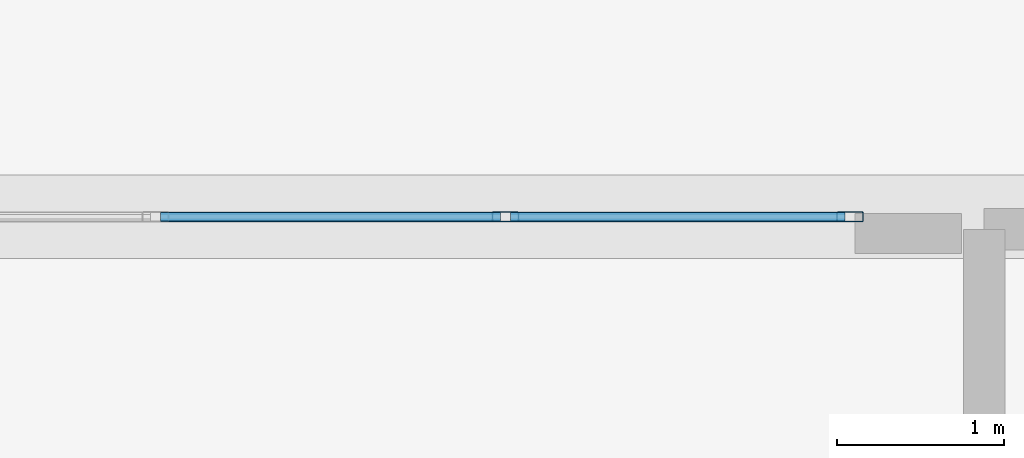
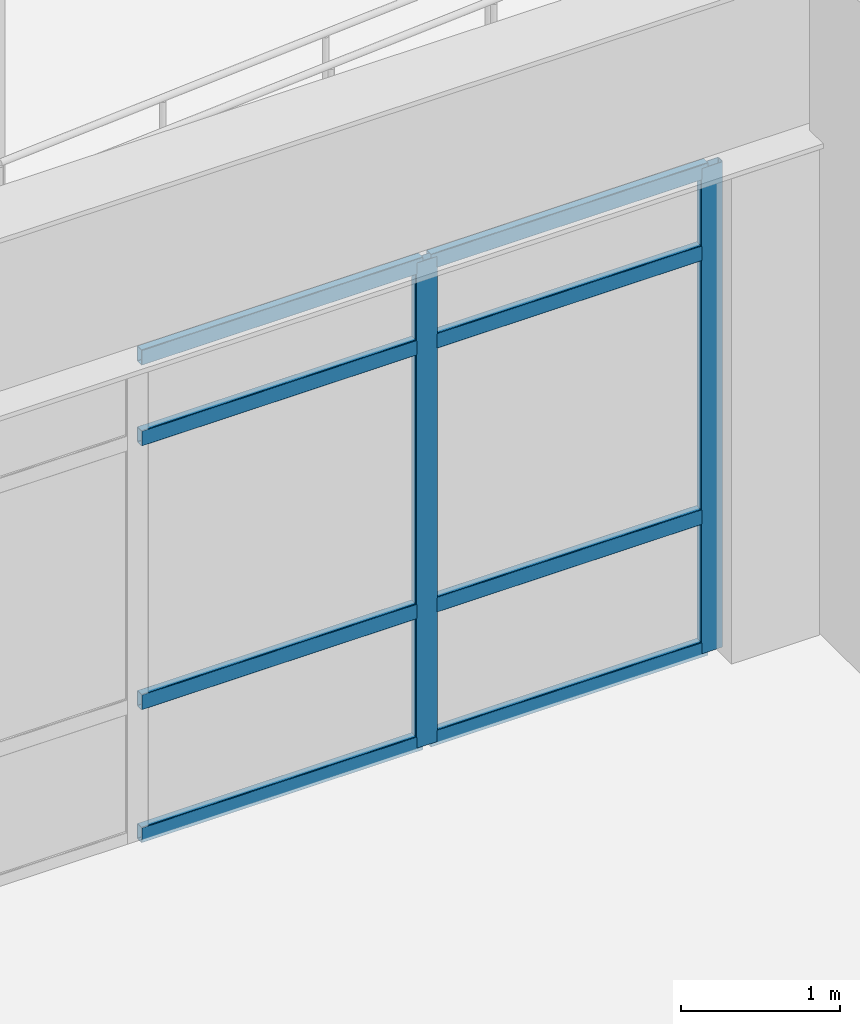
# One storey, part 50 of 165: 10 members, 1 element without a shape of its own.
"""IFC4 building model written with IfcOpenShell, lengths in metres."""

from ifc_helpers import new_model, si_unit, direction, frame, origin, origin_2d, place, context, subcontext, project, spatial, hollow_rectangle, extrude, material, layer, layer_set, material_profile, profile_set, type_object, element, aggregate, save


model = new_model("IFC4")

# Units and contexts
model_context = context("Model", 3, precision=1e-05, world=origin(), true_north=direction((0.0, 1.0)))
body_context = subcontext(model_context, "Body", "Model", "MODEL_VIEW")
ifc_project = project(units=[si_unit("LENGTHUNIT", "METRE"), si_unit("AREAUNIT", "SQUARE_METRE"), si_unit("VOLUMEUNIT", "CUBIC_METRE"), si_unit("PLANEANGLEUNIT", "RADIAN"), si_unit("MASSUNIT", "GRAM", prefix="KILO")], contexts=[model_context])

# Site, building, storey
site_placement = place(None, origin())
site = spatial("IfcSite", under=ifc_project, at=site_placement, CompositionType="ELEMENT")
building_placement = place(site_placement, origin())
building = spatial("IfcBuilding", under=site, at=building_placement, Name="Kazehara Bluff Congress Hotel", CompositionType="ELEMENT")
storey_placement = place(building_placement, origin())
storey = spatial("IfcBuildingStorey", under=building, at=storey_placement, Name="L00", CompositionType="ELEMENT", Elevation=0.0)

# Curtain wall, members
ifc_material_1 = material(Name="Anodised aluminium", Category="aluminium")
ifc_layer = layer(ifc_material_1, 0.159912109375)
ifc_layer_set = layer_set([ifc_layer], Name="Anodised aluminium")
curtain_wall_type = type_object("IfcCurtainWallType", Name="TP-CW-67", PredefinedType="NOTDEFINED", material=ifc_layer_set)
curtain_wall_placement = place(storey_placement, origin())
curtain_wall = element("IfcCurtainWall", 1, at=curtain_wall_placement, inside=storey, type_object=curtain_wall_type, Name="L00 curtain wall CW-67 CW-V4-L00-Y5645-6860", PredefinedType="NOTDEFINED")
ifc_material_2 = material(Name="Anodised aluminium", Category="aluminium")
ifc_material_profile_1 = material_profile(ifc_material_2, hollow_rectangle(XDim=0.06005859375, YDim=0.159912109375, WallThickness=0.00390625, InnerFilletRadius=0.00390625, OuterFilletRadius=0.008056640625, at=origin_2d()))
ifc_profile_set_1 = profile_set([ifc_material_profile_1], Name="Anodised aluminium")
member_type_1 = type_object("IfcMemberType", Name="TP-CWM-01", PredefinedType="MULLION", material=ifc_profile_set_1)
member_1_placement = place(storey_placement, frame((72.800048828125, 56.449951171875, 0.0), z_axis=(0.0, 0.0, 1.0), x_axis=(0.0, 1.0, 0.0)))
member_1 = element("IfcMember", 2, at=member_1_placement, type_object=member_type_1, Name="CW-67 mullion 3", PredefinedType="MULLION", context=body_context, shape_type="SweptSolid", body=[
    extrude(hollow_rectangle(XDim=0.06005859375, YDim=0.159912109375, WallThickness=0.00390625, InnerFilletRadius=0.00390625, OuterFilletRadius=0.008056640625, at=origin_2d()), origin(), (0.0, 0.0, 1.0), 3.72509765625),
])
member_2_placement = place(storey_placement, frame((74.8701171875, 56.449951171875, 0.0), z_axis=(0.0, 0.0, 1.0), x_axis=(0.0, 1.0, 0.0)))
member_2 = element("IfcMember", 3, at=member_2_placement, type_object=member_type_1, Name="CW-67 mullion 4", PredefinedType="MULLION", context=body_context, shape_type="SweptSolid", body=[
    extrude(hollow_rectangle(XDim=0.06005859375, YDim=0.159912109375, WallThickness=0.00390625, InnerFilletRadius=0.00390625, OuterFilletRadius=0.008056640625, at=origin_2d()), origin(), (0.0, 0.0, 1.0), 3.72509765625),
])
ifc_material_3 = material(Name="Anodised aluminium", Category="aluminium")
ifc_material_profile_2 = material_profile(ifc_material_3, hollow_rectangle(XDim=0.06005859375, YDim=0.1201171875, WallThickness=0.00390625, InnerFilletRadius=0.00390625, OuterFilletRadius=0.008056640625, at=origin_2d()))
ifc_profile_set_2 = profile_set([ifc_material_profile_2], Name="Anodised aluminium")
member_type_2 = type_object("IfcMemberType", Name="TP-CWT-01", PredefinedType="USERDEFINED", material=ifc_profile_set_2)
member_3_placement = place(storey_placement, frame((70.72998046875, 56.449951171875, 0.030029296875), z_axis=(1.0, 0.0, 0.0), x_axis=(0.0, 1.0, 0.0)))
member_3 = element("IfcMember", 4, at=member_3_placement, type_object=member_type_2, Name="CW-67 transom 2.1", ObjectType="TRANSOM", PredefinedType="USERDEFINED", context=body_context, shape_type="SweptSolid", body=[
    extrude(hollow_rectangle(XDim=0.06005859375, YDim=0.1201171875, WallThickness=0.00390625, InnerFilletRadius=0.00390625, OuterFilletRadius=0.008056640625, at=origin_2d()), origin(), (0.0, 0.0, 1.0), 2.0400390625),
])
member_4_placement = place(storey_placement, frame((70.72998046875, 56.449951171875, 1.050048828125), z_axis=(1.0, 0.0, 0.0), x_axis=(0.0, 1.0, 0.0)))
member_4 = element("IfcMember", 5, at=member_4_placement, type_object=member_type_2, Name="CW-67 transom 2.2", ObjectType="TRANSOM", PredefinedType="USERDEFINED", context=body_context, shape_type="SweptSolid", body=[
    extrude(hollow_rectangle(XDim=0.06005859375, YDim=0.1201171875, WallThickness=0.00390625, InnerFilletRadius=0.00390625, OuterFilletRadius=0.008056640625, at=origin_2d()), origin(), (0.0, 0.0, 1.0), 2.0400390625),
])
member_5_placement = place(storey_placement, frame((70.72998046875, 56.449951171875, 3.074951171875), z_axis=(1.0, 0.0, 0.0), x_axis=(0.0, 1.0, 0.0)))
member_5 = element("IfcMember", 6, at=member_5_placement, type_object=member_type_2, Name="CW-67 transom 2.3", ObjectType="TRANSOM", PredefinedType="USERDEFINED", context=body_context, shape_type="SweptSolid", body=[
    extrude(hollow_rectangle(XDim=0.06005859375, YDim=0.1201171875, WallThickness=0.00390625, InnerFilletRadius=0.00390625, OuterFilletRadius=0.008056640625, at=origin_2d()), origin(), (0.0, 0.0, 1.0), 2.0400390625),
])
member_6_placement = place(storey_placement, frame((70.72998046875, 56.449951171875, 3.695068359375), z_axis=(1.0, 0.0, 0.0), x_axis=(0.0, 1.0, 0.0)))
member_6 = element("IfcMember", 7, at=member_6_placement, type_object=member_type_2, Name="CW-67 transom 2.4", ObjectType="TRANSOM", PredefinedType="USERDEFINED", context=body_context, shape_type="SweptSolid", body=[
    extrude(hollow_rectangle(XDim=0.06005859375, YDim=0.1201171875, WallThickness=0.00390625, InnerFilletRadius=0.00390625, OuterFilletRadius=0.008056640625, at=origin_2d()), origin(), (0.0, 0.0, 1.0), 2.0400390625),
])
member_7_placement = place(storey_placement, frame((72.830078125, 56.449951171875, 0.030029296875), z_axis=(1.0, 0.0, 0.0), x_axis=(0.0, 1.0, 0.0)))
member_7 = element("IfcMember", 8, at=member_7_placement, type_object=member_type_2, Name="CW-67 transom 3.1", ObjectType="TRANSOM", PredefinedType="USERDEFINED", context=body_context, shape_type="SweptSolid", body=[
    extrude(hollow_rectangle(XDim=0.06005859375, YDim=0.1201171875, WallThickness=0.00390625, InnerFilletRadius=0.00390625, OuterFilletRadius=0.008056640625, at=origin_2d()), origin(), (0.0, 0.0, 1.0), 2.010009765625),
])
member_8_placement = place(storey_placement, frame((72.830078125, 56.449951171875, 1.050048828125), z_axis=(1.0, 0.0, 0.0), x_axis=(0.0, 1.0, 0.0)))
member_8 = element("IfcMember", 9, at=member_8_placement, type_object=member_type_2, Name="CW-67 transom 3.2", ObjectType="TRANSOM", PredefinedType="USERDEFINED", context=body_context, shape_type="SweptSolid", body=[
    extrude(hollow_rectangle(XDim=0.06005859375, YDim=0.1201171875, WallThickness=0.00390625, InnerFilletRadius=0.00390625, OuterFilletRadius=0.008056640625, at=origin_2d()), origin(), (0.0, 0.0, 1.0), 2.010009765625),
])
member_9_placement = place(storey_placement, frame((72.830078125, 56.449951171875, 3.074951171875), z_axis=(1.0, 0.0, 0.0), x_axis=(0.0, 1.0, 0.0)))
member_9 = element("IfcMember", 10, at=member_9_placement, type_object=member_type_2, Name="CW-67 transom 3.3", ObjectType="TRANSOM", PredefinedType="USERDEFINED", context=body_context, shape_type="SweptSolid", body=[
    extrude(hollow_rectangle(XDim=0.06005859375, YDim=0.1201171875, WallThickness=0.00390625, InnerFilletRadius=0.00390625, OuterFilletRadius=0.008056640625, at=origin_2d()), origin(), (0.0, 0.0, 1.0), 2.010009765625),
])
member_10_placement = place(storey_placement, frame((72.830078125, 56.449951171875, 3.695068359375), z_axis=(1.0, 0.0, 0.0), x_axis=(0.0, 1.0, 0.0)))
member_10 = element("IfcMember", 11, at=member_10_placement, type_object=member_type_2, Name="CW-67 transom 3.4", ObjectType="TRANSOM", PredefinedType="USERDEFINED", context=body_context, shape_type="SweptSolid", body=[
    extrude(hollow_rectangle(XDim=0.06005859375, YDim=0.1201171875, WallThickness=0.00390625, InnerFilletRadius=0.00390625, OuterFilletRadius=0.008056640625, at=origin_2d()), origin(), (0.0, 0.0, 1.0), 2.010009765625),
])
aggregate(curtain_wall, [member_1, member_2, member_3, member_4, member_5, member_6, member_7, member_8, member_9, member_10])

save(model, "model.ifc")
